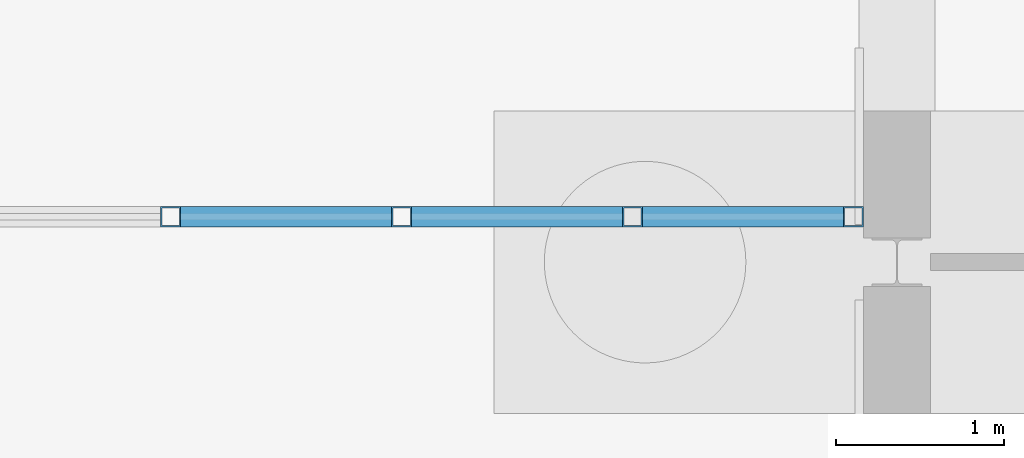
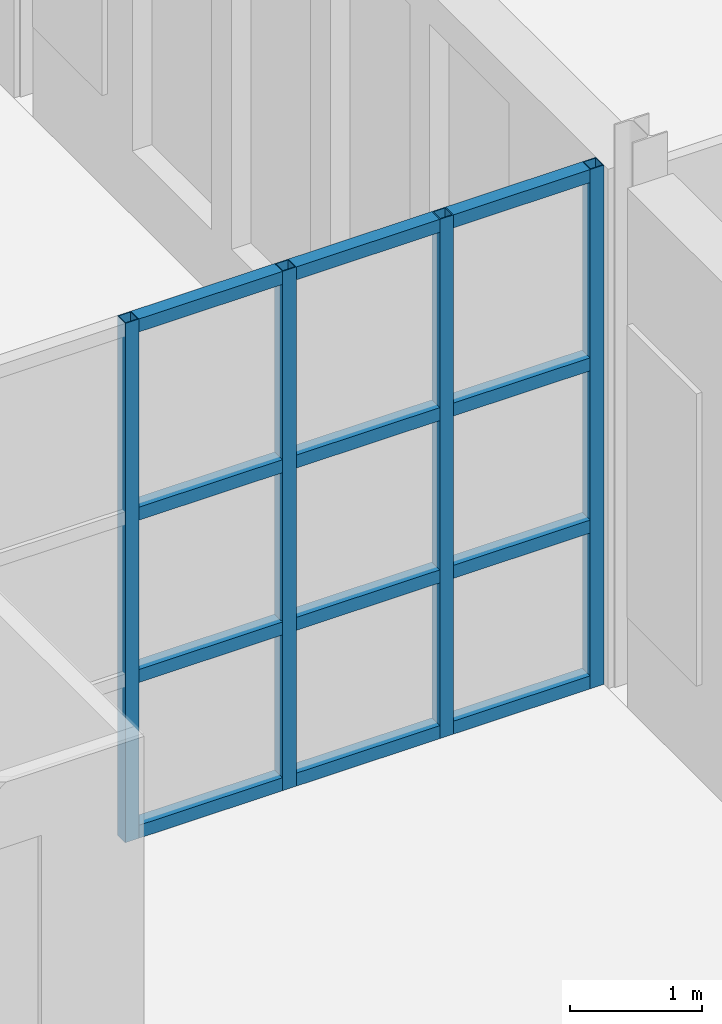
# One storey, part 49 of 168: 16 members, 1 element without a shape of its own.
"""IFC4 building model written with IfcOpenShell, lengths in metres."""

from ifc_helpers import new_model, si_unit, direction, frame, origin, origin_2d, place, context, subcontext, project, spatial, hollow_rectangle, extrude, material, material_profile, profile_set, type_object, element, aggregate, save


model = new_model("IFC4")

# Units and contexts
model_context = context("Model", 3, precision=1e-05, world=origin(), true_north=direction((0.0, 1.0)))
body_context = subcontext(model_context, "Body", "Model", "MODEL_VIEW")
ifc_project = project(units=[si_unit("LENGTHUNIT", "METRE"), si_unit("AREAUNIT", "SQUARE_METRE"), si_unit("VOLUMEUNIT", "CUBIC_METRE"), si_unit("PLANEANGLEUNIT", "RADIAN"), si_unit("MASSUNIT", "GRAM", prefix="KILO")], contexts=[model_context])

# Site, building, storey
site_placement = place(None, origin())
site = spatial("IfcSite", under=ifc_project, at=site_placement, CompositionType="ELEMENT")
building_placement = place(site_placement, origin())
building = spatial("IfcBuilding", under=site, at=building_placement, Name="Golden Quay Civic Hall", CompositionType="ELEMENT")
storey_placement = place(building_placement, origin())
storey = spatial("IfcBuildingStorey", under=building, at=storey_placement, Name="L00", CompositionType="ELEMENT", Elevation=0.0)

# Curtain wall, members
ifc_material_1 = material(Name="Fire-resisting glass and steel", Category="steel")
curtain_wall_type = type_object("IfcCurtainWallType", Name="Fire-resisting glazed curtain wall EI 120", PredefinedType="NOTDEFINED", material=ifc_material_1)
curtain_wall_placement = place(storey_placement, origin())
curtain_wall = element("IfcCurtainWall", 1, at=curtain_wall_placement, inside=storey, type_object=curtain_wall_type, Name="CW3 curtain wall", PredefinedType="NOTDEFINED")
ifc_material_2 = material(Name="Steel S355", Category="steel")
ifc_material_profile_1 = material_profile(ifc_material_2, hollow_rectangle(XDim=0.1201171875, YDim=0.1201171875, WallThickness=0.008056640625, at=origin_2d()), Name="SHS 120x120x8")
ifc_profile_set_1 = profile_set([ifc_material_profile_1], Name="Steel S355")
member_type_1 = type_object("IfcMemberType", Name="Fire-resisting steel mullion SHS 120x120x8", PredefinedType="MULLION", material=ifc_profile_set_1)
member_1_placement = place(storey_placement, frame((94.675048828125, 18.27001953125, 0.0), z_axis=(0.0, 0.0, 1.0), x_axis=(0.0, 1.0, 0.0)))
member_1 = element("IfcMember", 2, at=member_1_placement, type_object=member_type_1, Name="CW3 mullion 2", PredefinedType="MULLION", context=body_context, shape_type="SweptSolid", body=[
    extrude(hollow_rectangle(XDim=0.1201171875, YDim=0.1201171875, WallThickness=0.008056640625, at=origin_2d()), origin(), (0.0, 0.0, 1.0), 4.800048828125),
])
member_2_placement = place(storey_placement, frame((96.050048828125, 18.27001953125, 0.0), z_axis=(0.0, 0.0, 1.0), x_axis=(0.0, 1.0, 0.0)))
member_2 = element("IfcMember", 3, at=member_2_placement, type_object=member_type_1, Name="CW3 mullion 3", PredefinedType="MULLION", context=body_context, shape_type="SweptSolid", body=[
    extrude(hollow_rectangle(XDim=0.1201171875, YDim=0.1201171875, WallThickness=0.008056640625, at=origin_2d()), origin(), (0.0, 0.0, 1.0), 4.800048828125),
])
member_3_placement = place(storey_placement, frame((97.425048828125, 18.27001953125, 0.0), z_axis=(0.0, 0.0, 1.0), x_axis=(0.0, 1.0, 0.0)))
member_3 = element("IfcMember", 4, at=member_3_placement, type_object=member_type_1, Name="CW3 mullion 4", PredefinedType="MULLION", context=body_context, shape_type="SweptSolid", body=[
    extrude(hollow_rectangle(XDim=0.1201171875, YDim=0.1201171875, WallThickness=0.008056640625, at=origin_2d()), origin(), (0.0, 0.0, 1.0), 4.800048828125),
])
member_4_placement = place(storey_placement, frame((98.739990234375, 18.27001953125, 0.0), z_axis=(0.0, 0.0, 1.0), x_axis=(0.0, 1.0, 0.0)))
member_4 = element("IfcMember", 5, at=member_4_placement, type_object=member_type_1, Name="CW3 mullion 5", PredefinedType="MULLION", context=body_context, shape_type="SweptSolid", body=[
    extrude(hollow_rectangle(XDim=0.1201171875, YDim=0.1201171875, WallThickness=0.008056640625, at=origin_2d()), origin(), (0.0, 0.0, 1.0), 4.800048828125),
])
ifc_material_3 = material(Name="Steel S355", Category="steel")
ifc_material_profile_2 = material_profile(ifc_material_3, hollow_rectangle(XDim=0.1201171875, YDim=0.1201171875, WallThickness=0.008056640625, at=origin_2d()), Name="SHS 120x120x8")
ifc_profile_set_2 = profile_set([ifc_material_profile_2], Name="Steel S355")
member_type_2 = type_object("IfcMemberType", Name="Fire-resisting steel transom SHS 120x120x8", PredefinedType="USERDEFINED", material=ifc_profile_set_2)
member_5_placement = place(storey_placement, frame((94.735107421875, 18.27001953125, 0.06005859375), z_axis=(1.0, 0.0, 0.0), x_axis=(0.0, 1.0, 0.0)))
member_5 = element("IfcMember", 6, at=member_5_placement, type_object=member_type_2, Name="CW3 transom 2.1", ObjectType="TRANSOM", PredefinedType="USERDEFINED", context=body_context, shape_type="SweptSolid", body=[
    extrude(hollow_rectangle(XDim=0.1201171875, YDim=0.1201171875, WallThickness=0.008056640625, at=origin_2d()), origin(), (0.0, 0.0, 1.0), 1.2548828125),
])
member_6_placement = place(storey_placement, frame((94.735107421875, 18.27001953125, 1.5), z_axis=(1.0, 0.0, 0.0), x_axis=(0.0, 1.0, 0.0)))
member_6 = element("IfcMember", 7, at=member_6_placement, type_object=member_type_2, Name="CW3 transom 2.2", ObjectType="TRANSOM", PredefinedType="USERDEFINED", context=body_context, shape_type="SweptSolid", body=[
    extrude(hollow_rectangle(XDim=0.1201171875, YDim=0.1201171875, WallThickness=0.008056640625, at=origin_2d()), origin(), (0.0, 0.0, 1.0), 1.2548828125),
])
member_7_placement = place(storey_placement, frame((94.735107421875, 18.27001953125, 3.0), z_axis=(1.0, 0.0, 0.0), x_axis=(0.0, 1.0, 0.0)))
member_7 = element("IfcMember", 8, at=member_7_placement, type_object=member_type_2, Name="CW3 transom 2.3", ObjectType="TRANSOM", PredefinedType="USERDEFINED", context=body_context, shape_type="SweptSolid", body=[
    extrude(hollow_rectangle(XDim=0.1201171875, YDim=0.1201171875, WallThickness=0.008056640625, at=origin_2d()), origin(), (0.0, 0.0, 1.0), 1.2548828125),
])
member_8_placement = place(storey_placement, frame((94.735107421875, 18.27001953125, 4.739990234375), z_axis=(1.0, 0.0, 0.0), x_axis=(0.0, 1.0, 0.0)))
member_8 = element("IfcMember", 9, at=member_8_placement, type_object=member_type_2, Name="CW3 transom 2.4", ObjectType="TRANSOM", PredefinedType="USERDEFINED", context=body_context, shape_type="SweptSolid", body=[
    extrude(hollow_rectangle(XDim=0.1201171875, YDim=0.1201171875, WallThickness=0.008056640625, at=origin_2d()), origin(), (0.0, 0.0, 1.0), 1.2548828125),
])
member_9_placement = place(storey_placement, frame((96.110107421875, 18.27001953125, 0.06005859375), z_axis=(1.0, 0.0, 0.0), x_axis=(0.0, 1.0, 0.0)))
member_9 = element("IfcMember", 10, at=member_9_placement, type_object=member_type_2, Name="CW3 transom 3.1", ObjectType="TRANSOM", PredefinedType="USERDEFINED", context=body_context, shape_type="SweptSolid", body=[
    extrude(hollow_rectangle(XDim=0.1201171875, YDim=0.1201171875, WallThickness=0.008056640625, at=origin_2d()), origin(), (0.0, 0.0, 1.0), 1.2548828125),
])
member_10_placement = place(storey_placement, frame((96.110107421875, 18.27001953125, 1.5), z_axis=(1.0, 0.0, 0.0), x_axis=(0.0, 1.0, 0.0)))
member_10 = element("IfcMember", 11, at=member_10_placement, type_object=member_type_2, Name="CW3 transom 3.2", ObjectType="TRANSOM", PredefinedType="USERDEFINED", context=body_context, shape_type="SweptSolid", body=[
    extrude(hollow_rectangle(XDim=0.1201171875, YDim=0.1201171875, WallThickness=0.008056640625, at=origin_2d()), origin(), (0.0, 0.0, 1.0), 1.2548828125),
])
member_11_placement = place(storey_placement, frame((96.110107421875, 18.27001953125, 3.0), z_axis=(1.0, 0.0, 0.0), x_axis=(0.0, 1.0, 0.0)))
member_11 = element("IfcMember", 12, at=member_11_placement, type_object=member_type_2, Name="CW3 transom 3.3", ObjectType="TRANSOM", PredefinedType="USERDEFINED", context=body_context, shape_type="SweptSolid", body=[
    extrude(hollow_rectangle(XDim=0.1201171875, YDim=0.1201171875, WallThickness=0.008056640625, at=origin_2d()), origin(), (0.0, 0.0, 1.0), 1.2548828125),
])
member_12_placement = place(storey_placement, frame((96.110107421875, 18.27001953125, 4.739990234375), z_axis=(1.0, 0.0, 0.0), x_axis=(0.0, 1.0, 0.0)))
member_12 = element("IfcMember", 13, at=member_12_placement, type_object=member_type_2, Name="CW3 transom 3.4", ObjectType="TRANSOM", PredefinedType="USERDEFINED", context=body_context, shape_type="SweptSolid", body=[
    extrude(hollow_rectangle(XDim=0.1201171875, YDim=0.1201171875, WallThickness=0.008056640625, at=origin_2d()), origin(), (0.0, 0.0, 1.0), 1.2548828125),
])
member_13_placement = place(storey_placement, frame((97.485107421875, 18.27001953125, 0.06005859375), z_axis=(1.0, 0.0, 0.0), x_axis=(0.0, 1.0, 0.0)))
member_13 = element("IfcMember", 14, at=member_13_placement, type_object=member_type_2, Name="CW3 transom 4.1", ObjectType="TRANSOM", PredefinedType="USERDEFINED", context=body_context, shape_type="SweptSolid", body=[
    extrude(hollow_rectangle(XDim=0.1201171875, YDim=0.1201171875, WallThickness=0.008056640625, at=origin_2d()), origin(), (0.0, 0.0, 1.0), 1.19482421875),
])
member_14_placement = place(storey_placement, frame((97.485107421875, 18.27001953125, 1.5), z_axis=(1.0, 0.0, 0.0), x_axis=(0.0, 1.0, 0.0)))
member_14 = element("IfcMember", 15, at=member_14_placement, type_object=member_type_2, Name="CW3 transom 4.2", ObjectType="TRANSOM", PredefinedType="USERDEFINED", context=body_context, shape_type="SweptSolid", body=[
    extrude(hollow_rectangle(XDim=0.1201171875, YDim=0.1201171875, WallThickness=0.008056640625, at=origin_2d()), origin(), (0.0, 0.0, 1.0), 1.19482421875),
])
member_15_placement = place(storey_placement, frame((97.485107421875, 18.27001953125, 3.0), z_axis=(1.0, 0.0, 0.0), x_axis=(0.0, 1.0, 0.0)))
member_15 = element("IfcMember", 16, at=member_15_placement, type_object=member_type_2, Name="CW3 transom 4.3", ObjectType="TRANSOM", PredefinedType="USERDEFINED", context=body_context, shape_type="SweptSolid", body=[
    extrude(hollow_rectangle(XDim=0.1201171875, YDim=0.1201171875, WallThickness=0.008056640625, at=origin_2d()), origin(), (0.0, 0.0, 1.0), 1.19482421875),
])
member_16_placement = place(storey_placement, frame((97.485107421875, 18.27001953125, 4.739990234375), z_axis=(1.0, 0.0, 0.0), x_axis=(0.0, 1.0, 0.0)))
member_16 = element("IfcMember", 17, at=member_16_placement, type_object=member_type_2, Name="CW3 transom 4.4", ObjectType="TRANSOM", PredefinedType="USERDEFINED", context=body_context, shape_type="SweptSolid", body=[
    extrude(hollow_rectangle(XDim=0.1201171875, YDim=0.1201171875, WallThickness=0.008056640625, at=origin_2d()), origin(), (0.0, 0.0, 1.0), 1.19482421875),
])
aggregate(curtain_wall, [member_1, member_2, member_3, member_4, member_5, member_6, member_7, member_8, member_9, member_10, member_11, member_12, member_13, member_14, member_15, member_16])

save(model, "model.ifc")
